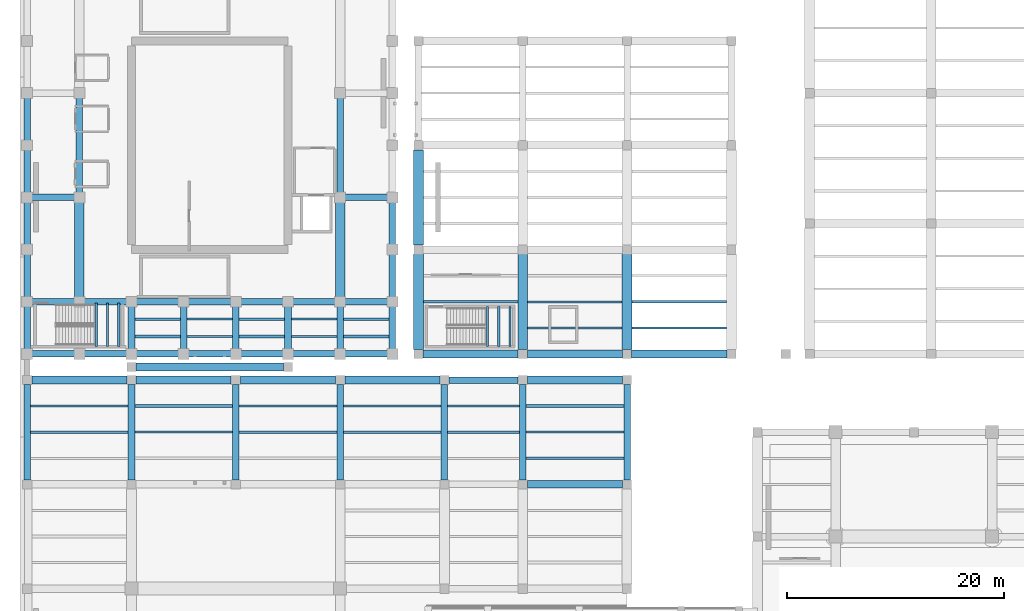
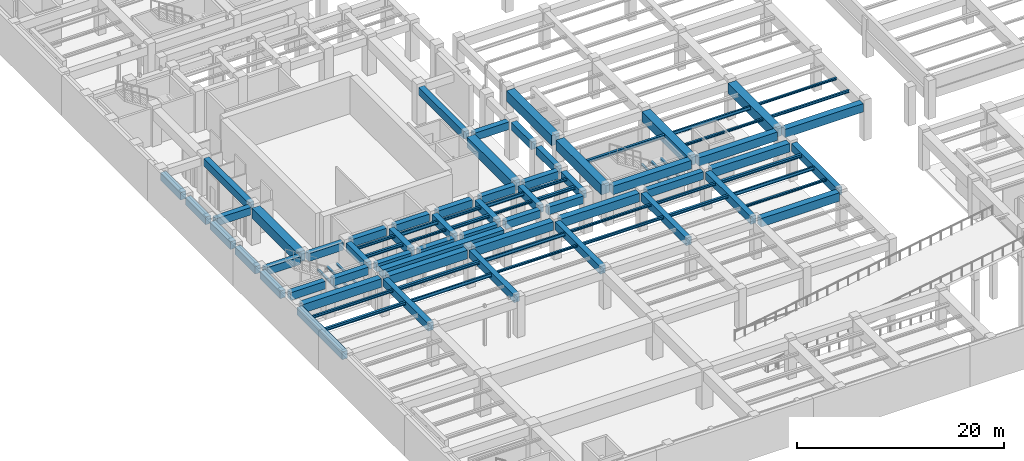
# One storey, part 15 of 45: 89 beams.
"""IFC4 building model written with IfcOpenShell, lengths in metres."""

from ifc_helpers import new_model, si_unit, direction, frame, origin, origin_2d, place, context, subcontext, project, spatial, rectangle, i_section, extrude, material, material_profile, profile_set, type_object, element, save


model = new_model("IFC4")

# Units and contexts
model_context = context("Model", 3, precision=1e-05, world=origin(), true_north=direction((0.0, 1.0)))
body_context = subcontext(model_context, "Body", "Model", "MODEL_VIEW")
ifc_project = project(units=[si_unit("LENGTHUNIT", "METRE"), si_unit("AREAUNIT", "SQUARE_METRE"), si_unit("VOLUMEUNIT", "CUBIC_METRE"), si_unit("PLANEANGLEUNIT", "RADIAN"), si_unit("MASSUNIT", "GRAM", prefix="KILO")], contexts=[model_context])

# Site, building, storey
site_placement = place(None, origin())
site = spatial("IfcSite", under=ifc_project, at=site_placement, CompositionType="ELEMENT")
building_placement = place(site_placement, origin())
building = spatial("IfcBuilding", under=site, at=building_placement, Name="Mavantir Sound Aquarium", CompositionType="ELEMENT")
storey_placement = place(building_placement, frame((0.0, 0.0, -4.800048828125)))
storey = spatial("IfcBuildingStorey", under=building, at=storey_placement, Name="B1", CompositionType="ELEMENT", Elevation=-4.800048828125)

# Beams
ifc_material_1 = material(Name="Concrete C40/50", Category="concrete")
ifc_material_profile_1 = material_profile(ifc_material_1, rectangle(XDim=0.60009765625, YDim=0.89990234375, at=origin_2d()), Name="RC 600X900")
ifc_profile_set_1 = profile_set([ifc_material_profile_1], Name="Concrete C40/50")
beam_type_1 = type_object("IfcBeamType", Name="BM-RC600X900-E", PredefinedType="BEAM", material=ifc_profile_set_1)
beam_1_placement = place(storey_placement, frame((0.449951171875, 40.800048828125, 3.946044921875), z_axis=(1.0, 0.0, 0.0), x_axis=(0.0, 1.0, 0.0)))
element("IfcBeam", 1, at=beam_1_placement, inside=storey, type_object=beam_type_1, Name="B1 primary beam RCB-09 449", PredefinedType="BEAM", context=body_context, shape_type="SweptSolid", body=[
    extrude(rectangle(XDim=0.60009765625, YDim=0.89990234375, at=origin_2d()), origin(), (0.0, 0.0, 1.0), 3.900146484375),
])
for number, where, z_axis, x_axis, name in (
    (2, (5.25, 40.800048828125, 3.946044921875), (1.0, 0.0, 0.0), (0.0, 1.0, 0.0), "B1 primary beam RCB-09 450"),
    (3, (10.050048828125, 40.800048828125, 3.946044921875), (1.0, 0.0, 0.0), (0.0, 1.0, 0.0), "B1 primary beam RCB-09 451"),
    (4, (14.85009765625, 40.800048828125, 3.946044921875), (1.0, 0.0, 0.0), (0.0, 1.0, 0.0), "B1 primary beam RCB-09 452"),
):
    element("IfcBeam", number, at=place(storey_placement, frame(where, z_axis=z_axis, x_axis=x_axis)), inside=storey, type_object=beam_type_1, Name=name, PredefinedType="BEAM", context=body_context, shape_type="SweptSolid", body=[
        extrude(rectangle(XDim=0.60009765625, YDim=0.89990234375, at=origin_2d()), origin(), (0.0, 0.0, 1.0), 3.89990234375),
    ])
for number, where, z_axis, x_axis, name in (
    (5, (19.64990234375, 40.800048828125, 3.946044921875), (1.0, 0.0, 0.0), (0.0, 1.0, 0.0), "B1 primary beam RCB-09 453"),
    (6, (24.449951171875, 40.800048828125, 3.946044921875), (1.0, 0.0, 0.0), (0.0, 1.0, 0.0), "B1 primary beam RCB-09 454"),
):
    element("IfcBeam", number, at=place(storey_placement, frame(where, z_axis=z_axis, x_axis=x_axis)), inside=storey, type_object=beam_type_1, Name=name, PredefinedType="BEAM", context=body_context, shape_type="SweptSolid", body=[
        extrude(rectangle(XDim=0.60009765625, YDim=0.89990234375, at=origin_2d()), origin(), (0.0, 0.0, 1.0), 3.900146484375),
    ])
for number, where, z_axis, x_axis, name in (
    (7, (29.25, 40.800048828125, 3.946044921875), (1.0, 0.0, 0.0), (0.0, 1.0, 0.0), "B1 primary beam RCB-09 455"),
    (8, (0.0, 41.25, 3.946044921875), (0.0, 1.0, 0.0), (-1.0, 0.0, 0.0), "B1 primary girder RCB-09 479"),
    (9, (0.0, 46.050048828125, 3.946044921875), (0.0, 1.0, 0.0), (-1.0, 0.0, 0.0), "B1 primary girder RCB-09 480"),
    (10, (0.0, 50.85009765625, 3.946044921875), (0.0, 1.0, 0.0), (-1.0, 0.0, 0.0), "B1 primary girder RCB-09 481"),
):
    element("IfcBeam", number, at=place(storey_placement, frame(where, z_axis=z_axis, x_axis=x_axis)), inside=storey, type_object=beam_type_1, Name=name, PredefinedType="BEAM", context=body_context, shape_type="SweptSolid", body=[
        extrude(rectangle(XDim=0.60009765625, YDim=0.89990234375, at=origin_2d()), origin(), (0.0, 0.0, 1.0), 3.89990234375),
    ])
for number, where, z_axis, x_axis, name in (
    (11, (0.0, 55.64990234375, 3.946044921875), (0.0, 1.0, 0.0), (-1.0, 0.0, 0.0), "B1 primary girder RCB-09 482"),
    (12, (0.0, 60.449951171875, 3.946044921875), (0.0, 1.0, 0.0), (-1.0, 0.0, 0.0), "B1 primary girder RCB-09 483"),
):
    element("IfcBeam", number, at=place(storey_placement, frame(where, z_axis=z_axis, x_axis=x_axis)), inside=storey, type_object=beam_type_1, Name=name, PredefinedType="BEAM", context=body_context, shape_type="SweptSolid", body=[
        extrude(rectangle(XDim=0.60009765625, YDim=0.89990234375, at=origin_2d()), origin(), (0.0, 0.0, 1.0), 3.900146484375),
    ])
for number, where, z_axis, x_axis, name in (
    (13, (33.60009765625, 41.25, 3.946044921875), (0.0, 1.0, 0.0), (-1.0, 0.0, 0.0), "B1 primary girder RCB-09 503"),
    (14, (33.60009765625, 46.050048828125, 3.946044921875), (0.0, 1.0, 0.0), (-1.0, 0.0, 0.0), "B1 primary girder RCB-09 504"),
    (15, (33.60009765625, 50.85009765625, 3.946044921875), (0.0, 1.0, 0.0), (-1.0, 0.0, 0.0), "B1 primary girder RCB-09 505"),
):
    element("IfcBeam", number, at=place(storey_placement, frame(where, z_axis=z_axis, x_axis=x_axis)), inside=storey, type_object=beam_type_1, Name=name, PredefinedType="BEAM", context=body_context, shape_type="SweptSolid", body=[
        extrude(rectangle(XDim=0.60009765625, YDim=0.89990234375, at=origin_2d()), origin(), (0.0, 0.0, 1.0), 3.89990234375),
    ])
beam_2_placement = place(storey_placement, frame((38.824951171875, 38.39990234375, 4.046142578125), z_axis=(1.0, 0.0, 0.0), x_axis=(0.0, 1.0, 0.0)))
element("IfcBeam", 16, at=beam_2_placement, inside=storey, type_object=beam_type_1, Name="B1 primary beam RCB-09 559", PredefinedType="BEAM", context=body_context, shape_type="SweptSolid", body=[
    extrude(rectangle(XDim=0.60009765625, YDim=0.89990234375, at=origin_2d()), origin(), (0.0, 0.0, 1.0), 6.35009765625),
])
for number, where, z_axis, x_axis, name in (
    (17, (0.0, 29.22509765625, 4.046142578125), (0.0, 1.0, 0.0), (-1.0, 0.0, 0.0), "B1 primary girder RCB-09 564"),
    (18, (55.199951171875, 29.22509765625, 4.046142578125), (0.0, 1.0, 0.0), (-1.0, 0.0, 0.0), "B1 primary girder RCB-09 582"),
):
    element("IfcBeam", number, at=place(storey_placement, frame(where, z_axis=z_axis, x_axis=x_axis)), inside=storey, type_object=beam_type_1, Name=name, PredefinedType="BEAM", context=body_context, shape_type="SweptSolid", body=[
        extrude(rectangle(XDim=0.60009765625, YDim=0.89990234375, at=origin_2d()), origin(), (0.0, 0.0, 1.0), 8.75),
    ])
ifc_material_profile_2 = material_profile(ifc_material_1, rectangle(XDim=0.60009765625, YDim=0.89990234375, at=origin_2d()), Name="RC 600X900")
ifc_profile_set_2 = profile_set([ifc_material_profile_2], Name="Concrete C40/50")
beam_type_2 = type_object("IfcBeamType", Name="BM-RC600X900-I", PredefinedType="BEAM", material=ifc_profile_set_2)
beam_3_placement = place(storey_placement, frame((0.449951171875, 45.60009765625, 3.946044921875), z_axis=(1.0, 0.0, 0.0), x_axis=(0.0, 1.0, 0.0)))
element("IfcBeam", 19, at=beam_3_placement, inside=storey, type_object=beam_type_2, Name="B1 primary beam RCB-09 456", PredefinedType="BEAM", context=body_context, shape_type="SweptSolid", body=[
    extrude(rectangle(XDim=0.60009765625, YDim=0.89990234375, at=origin_2d()), origin(), (0.0, 0.0, 1.0), 3.900146484375),
])
for number, where, z_axis, x_axis, name in (
    (20, (5.25, 45.60009765625, 3.946044921875), (1.0, 0.0, 0.0), (0.0, 1.0, 0.0), "B1 primary beam RCB-09 457"),
    (21, (10.050048828125, 45.60009765625, 3.946044921875), (1.0, 0.0, 0.0), (0.0, 1.0, 0.0), "B1 primary beam RCB-09 458"),
    (22, (14.85009765625, 45.60009765625, 3.946044921875), (1.0, 0.0, 0.0), (0.0, 1.0, 0.0), "B1 primary beam RCB-09 459"),
):
    element("IfcBeam", number, at=place(storey_placement, frame(where, z_axis=z_axis, x_axis=x_axis)), inside=storey, type_object=beam_type_2, Name=name, PredefinedType="BEAM", context=body_context, shape_type="SweptSolid", body=[
        extrude(rectangle(XDim=0.60009765625, YDim=0.89990234375, at=origin_2d()), origin(), (0.0, 0.0, 1.0), 3.89990234375),
    ])
for number, where, z_axis, x_axis, name in (
    (23, (19.64990234375, 45.60009765625, 3.946044921875), (1.0, 0.0, 0.0), (0.0, 1.0, 0.0), "B1 primary beam RCB-09 460"),
    (24, (24.449951171875, 45.60009765625, 3.946044921875), (1.0, 0.0, 0.0), (0.0, 1.0, 0.0), "B1 primary beam RCB-09 461"),
):
    element("IfcBeam", number, at=place(storey_placement, frame(where, z_axis=z_axis, x_axis=x_axis)), inside=storey, type_object=beam_type_2, Name=name, PredefinedType="BEAM", context=body_context, shape_type="SweptSolid", body=[
        extrude(rectangle(XDim=0.60009765625, YDim=0.89990234375, at=origin_2d()), origin(), (0.0, 0.0, 1.0), 3.900146484375),
    ])
beam_4_placement = place(storey_placement, frame((29.25, 45.60009765625, 3.946044921875), z_axis=(1.0, 0.0, 0.0), x_axis=(0.0, 1.0, 0.0)))
element("IfcBeam", 25, at=beam_4_placement, inside=storey, type_object=beam_type_2, Name="B1 primary beam RCB-09 462", PredefinedType="BEAM", context=body_context, shape_type="SweptSolid", body=[
    extrude(rectangle(XDim=0.60009765625, YDim=0.89990234375, at=origin_2d()), origin(), (0.0, 0.0, 1.0), 3.89990234375),
])
beam_5_placement = place(storey_placement, frame((0.449951171875, 55.199951171875, 3.946044921875), z_axis=(1.0, 0.0, 0.0), x_axis=(0.0, 1.0, 0.0)))
element("IfcBeam", 26, at=beam_5_placement, inside=storey, type_object=beam_type_2, Name="B1 primary beam RCB-09 463", PredefinedType="BEAM", context=body_context, shape_type="SweptSolid", body=[
    extrude(rectangle(XDim=0.60009765625, YDim=0.89990234375, at=origin_2d()), origin(), (0.0, 0.0, 1.0), 3.900146484375),
])
beam_6_placement = place(storey_placement, frame((29.25, 55.199951171875, 3.946044921875), z_axis=(1.0, 0.0, 0.0), x_axis=(0.0, 1.0, 0.0)))
element("IfcBeam", 27, at=beam_6_placement, inside=storey, type_object=beam_type_2, Name="B1 primary beam RCB-09 464", PredefinedType="BEAM", context=body_context, shape_type="SweptSolid", body=[
    extrude(rectangle(XDim=0.60009765625, YDim=0.89990234375, at=origin_2d()), origin(), (0.0, 0.0, 1.0), 3.89990234375),
])
beam_7_placement = place(storey_placement, frame((4.800048828125, 55.64990234375, 3.946044921875), z_axis=(0.0, 1.0, 0.0), x_axis=(-1.0, 0.0, 0.0)))
element("IfcBeam", 28, at=beam_7_placement, inside=storey, type_object=beam_type_2, Name="B1 primary girder RCB-09 488", PredefinedType="BEAM", context=body_context, shape_type="SweptSolid", body=[
    extrude(rectangle(XDim=0.60009765625, YDim=0.89990234375, at=origin_2d()), origin(), (0.0, 0.0, 1.0), 8.7001953125),
])
for number, where, z_axis, x_axis, name in (
    (29, (9.60009765625, 41.25, 3.946044921875), (0.0, 1.0, 0.0), (-1.0, 0.0, 0.0), "B1 primary girder RCB-09 490"),
    (30, (14.39990234375, 41.25, 3.946044921875), (0.0, 1.0, 0.0), (-1.0, 0.0, 0.0), "B1 primary girder RCB-09 492"),
    (31, (19.199951171875, 41.25, 3.946044921875), (0.0, 1.0, 0.0), (-1.0, 0.0, 0.0), "B1 primary girder RCB-09 494"),
    (32, (24.0, 41.25, 3.946044921875), (0.0, 1.0, 0.0), (-1.0, 0.0, 0.0), "B1 primary girder RCB-09 496"),
    (33, (28.800048828125, 41.25, 3.946044921875), (0.0, 1.0, 0.0), (-1.0, 0.0, 0.0), "B1 primary girder RCB-09 498"),
):
    element("IfcBeam", number, at=place(storey_placement, frame(where, z_axis=z_axis, x_axis=x_axis)), inside=storey, type_object=beam_type_2, Name=name, PredefinedType="BEAM", context=body_context, shape_type="SweptSolid", body=[
        extrude(rectangle(XDim=0.60009765625, YDim=0.89990234375, at=origin_2d()), origin(), (0.0, 0.0, 1.0), 3.89990234375),
    ])
beam_8_placement = place(storey_placement, frame((28.800048828125, 55.64990234375, 3.946044921875), z_axis=(0.0, 1.0, 0.0), x_axis=(-1.0, 0.0, 0.0)))
element("IfcBeam", 34, at=beam_8_placement, inside=storey, type_object=beam_type_2, Name="B1 primary girder RCB-09 500", PredefinedType="BEAM", context=body_context, shape_type="SweptSolid", body=[
    extrude(rectangle(XDim=0.60009765625, YDim=0.89990234375, at=origin_2d()), origin(), (0.0, 0.0, 1.0), 8.7001953125),
])
for number, where, z_axis, x_axis, name in (
    (35, (9.60009765625, 29.22509765625, 4.046142578125), (0.0, 1.0, 0.0), (-1.0, 0.0, 0.0), "B1 primary girder RCB-09 568"),
    (36, (19.199951171875, 29.22509765625, 4.046142578125), (0.0, 1.0, 0.0), (-1.0, 0.0, 0.0), "B1 primary girder RCB-09 569"),
    (37, (28.800048828125, 29.22509765625, 4.046142578125), (0.0, 1.0, 0.0), (-1.0, 0.0, 0.0), "B1 primary girder RCB-09 573"),
    (38, (38.39990234375, 29.22509765625, 4.046142578125), (0.0, 1.0, 0.0), (-1.0, 0.0, 0.0), "B1 primary girder RCB-09 576"),
    (39, (45.60009765625, 29.22509765625, 4.046142578125), (0.0, 1.0, 0.0), (-1.0, 0.0, 0.0), "B1 primary girder RCB-09 579"),
):
    element("IfcBeam", number, at=place(storey_placement, frame(where, z_axis=z_axis, x_axis=x_axis)), inside=storey, type_object=beam_type_2, Name=name, PredefinedType="BEAM", context=body_context, shape_type="SweptSolid", body=[
        extrude(rectangle(XDim=0.60009765625, YDim=0.89990234375, at=origin_2d()), origin(), (0.0, 0.0, 1.0), 8.75),
    ])
ifc_material_profile_3 = material_profile(ifc_material_1, rectangle(XDim=0.699951171875, YDim=1.0, at=origin_2d()), Name="RC 700X1000")
ifc_profile_set_3 = profile_set([ifc_material_profile_3], Name="Concrete C40/50")
beam_type_3 = type_object("IfcBeamType", Name="BM-RC700X1000-E", PredefinedType="BEAM", material=ifc_profile_set_3)
for number, where, z_axis, x_axis, name in (
    (40, (36.425048828125, 40.800048828125, 3.89599609375), (1.0, 0.0, 0.0), (0.0, 1.0, 0.0), "B1 primary beam RCB-10 511"),
    (41, (46.02490234375, 40.800048828125, 3.89599609375), (1.0, 0.0, 0.0), (0.0, 1.0, 0.0), "B1 primary beam RCB-10 512"),
    (42, (55.625, 40.800048828125, 3.89599609375), (1.0, 0.0, 0.0), (0.0, 1.0, 0.0), "B1 primary beam RCB-10 513"),
    (43, (0.425048828125, 38.39990234375, 3.99609375), (1.0, 0.0, 0.0), (0.0, 1.0, 0.0), "B1 primary beam RCB-10 555"),
    (44, (10.02490234375, 38.39990234375, 3.99609375), (1.0, 0.0, 0.0), (0.0, 1.0, 0.0), "B1 primary beam RCB-10 556"),
    (45, (19.625, 38.39990234375, 3.99609375), (1.0, 0.0, 0.0), (0.0, 1.0, 0.0), "B1 primary beam RCB-10 557"),
    (46, (29.22509765625, 38.39990234375, 3.99609375), (1.0, 0.0, 0.0), (0.0, 1.0, 0.0), "B1 primary beam RCB-10 558"),
    (47, (46.02490234375, 38.39990234375, 3.99609375), (1.0, 0.0, 0.0), (0.0, 1.0, 0.0), "B1 primary beam RCB-10 560"),
):
    element("IfcBeam", number, at=place(storey_placement, frame(where, z_axis=z_axis, x_axis=x_axis)), inside=storey, type_object=beam_type_3, Name=name, PredefinedType="BEAM", context=body_context, shape_type="SweptSolid", body=[
        extrude(rectangle(XDim=0.699951171875, YDim=1.0, at=origin_2d()), origin(), (0.0, 0.0, 1.0), 8.75),
    ])
ifc_material_profile_4 = material_profile(ifc_material_1, rectangle(XDim=0.699951171875, YDim=1.0, at=origin_2d()), Name="RC 700X1000")
ifc_profile_set_4 = profile_set([ifc_material_profile_4], Name="Concrete C40/50")
beam_type_4 = type_object("IfcBeamType", Name="BM-RC700X1000-I", PredefinedType="BEAM", material=ifc_profile_set_4)
beam_9_placement = place(storey_placement, frame((10.02490234375, 39.60009765625, 3.99609375), z_axis=(1.0, 0.0, 0.0), x_axis=(0.0, 1.0, 0.0)))
element("IfcBeam", 48, at=beam_9_placement, inside=storey, type_object=beam_type_4, Name="B1 primary beam RCB-10 421", PredefinedType="BEAM", context=body_context, shape_type="SweptSolid", body=[
    extrude(rectangle(XDim=0.699951171875, YDim=1.0, at=origin_2d()), origin(), (0.0, 0.0, 1.0), 13.550048828125),
])
beam_10_placement = place(storey_placement, frame((46.02490234375, 28.800048828125, 3.99609375), z_axis=(1.0, 0.0, 0.0), x_axis=(0.0, 1.0, 0.0)))
element("IfcBeam", 49, at=beam_10_placement, inside=storey, type_object=beam_type_4, Name="B1 primary beam RCB-10 554", PredefinedType="BEAM", context=body_context, shape_type="SweptSolid", body=[
    extrude(rectangle(XDim=0.699951171875, YDim=1.0, at=origin_2d()), origin(), (0.0, 0.0, 1.0), 8.75),
])
ifc_material_profile_5 = material_profile(ifc_material_1, rectangle(XDim=0.89990234375, YDim=1.199951171875, at=origin_2d()), Name="RC 900X1200")
ifc_profile_set_5 = profile_set([ifc_material_profile_5], Name="Concrete C40/50")
beam_type_5 = type_object("IfcBeamType", Name="BM-RC900X1200-E", PredefinedType="BEAM", material=ifc_profile_set_5)
for number, where, z_axis, x_axis, name in (
    (50, (36.0, 41.22509765625, 3.796142578125), (0.0, 1.0, 0.0), (-1.0, 0.0, 0.0), "B1 primary girder RCB-12 523"),
    (51, (36.0, 50.824951171875, 3.796142578125), (0.0, 1.0, 0.0), (-1.0, 0.0, 0.0), "B1 primary girder RCB-12 524"),
):
    element("IfcBeam", number, at=place(storey_placement, frame(where, z_axis=z_axis, x_axis=x_axis)), inside=storey, type_object=beam_type_5, Name=name, PredefinedType="BEAM", context=body_context, shape_type="SweptSolid", body=[
        extrude(rectangle(XDim=0.89990234375, YDim=1.199951171875, at=origin_2d()), origin(), (0.0, 0.0, 1.0), 8.75),
    ])
ifc_material_profile_6 = material_profile(ifc_material_1, rectangle(XDim=0.89990234375, YDim=1.199951171875, at=origin_2d()), Name="RC 900X1200")
ifc_profile_set_6 = profile_set([ifc_material_profile_6], Name="Concrete C40/50")
beam_type_6 = type_object("IfcBeamType", Name="BM-RC900X1200-I", PredefinedType="BEAM", material=ifc_profile_set_6)
for number, where, z_axis, x_axis, name in (
    (52, (4.800048828125, 46.050048828125, 3.796142578125), (0.0, 1.0, 0.0), (-1.0, 0.0, 0.0), "B1 primary girder RCB-12 487"),
    (53, (28.800048828125, 46.050048828125, 3.796142578125), (0.0, 1.0, 0.0), (-1.0, 0.0, 0.0), "B1 primary girder RCB-12 499"),
):
    element("IfcBeam", number, at=place(storey_placement, frame(where, z_axis=z_axis, x_axis=x_axis)), inside=storey, type_object=beam_type_6, Name=name, PredefinedType="BEAM", context=body_context, shape_type="SweptSolid", body=[
        extrude(rectangle(XDim=0.89990234375, YDim=1.199951171875, at=origin_2d()), origin(), (0.0, 0.0, 1.0), 8.699951171875),
    ])
for number, where, z_axis, x_axis, name in (
    (54, (45.60009765625, 41.22509765625, 3.796142578125), (0.0, 1.0, 0.0), (-1.0, 0.0, 0.0), "B1 primary girder RCB-12 526"),
    (55, (55.199951171875, 41.22509765625, 3.796142578125), (0.0, 1.0, 0.0), (-1.0, 0.0, 0.0), "B1 primary girder RCB-12 529"),
):
    element("IfcBeam", number, at=place(storey_placement, frame(where, z_axis=z_axis, x_axis=x_axis)), inside=storey, type_object=beam_type_6, Name=name, PredefinedType="BEAM", context=body_context, shape_type="SweptSolid", body=[
        extrude(rectangle(XDim=0.89990234375, YDim=1.199951171875, at=origin_2d()), origin(), (0.0, 0.0, 1.0), 8.75),
    ])
ifc_material_2 = material(Name="Structural Steel ASTM A992 Gr50", Category="steel")
ifc_material_profile_7 = material_profile(ifc_material_2, i_section(OverallWidth=0.202880859375, OverallDepth=0.202880859375, WebThickness=0.007080078125, FlangeThickness=0.010986328125, FilletRadius=0.010009765625, at=origin_2d()), Name="W200X46")
ifc_profile_set_7 = profile_set([ifc_material_profile_7], Name="Structural Steel ASTM A992 Gr50")
beam_type_7 = type_object("IfcBeamType", Name="BM-W200X46-I", PredefinedType="LINTEL", material=ifc_profile_set_7)
for number, where, z_axis, x_axis, name in (
    (56, (6.35009765625, 41.47509765625, 2.095458984375), (0.0, 1.0, 0.0), (-1.0, 0.0, 0.0), "Stair ST1 landing support beam 4"),
    (57, (7.389892578125, 41.47509765625, 2.095458984375), (0.0, 1.0, 0.0), (-1.0, 0.0, 0.0), "Stair ST1 landing support beam 5"),
    (58, (8.429931640625, 41.47509765625, 2.095458984375), (0.0, 1.0, 0.0), (-1.0, 0.0, 0.0), "Stair ST1 landing support beam 6"),
):
    element("IfcBeam", number, at=place(storey_placement, frame(where, z_axis=z_axis, x_axis=x_axis)), inside=storey, type_object=beam_type_7, Name=name, PredefinedType="LINTEL", context=body_context, shape_type="SweptSolid", body=[
        extrude(i_section(OverallWidth=0.202880859375, OverallDepth=0.202880859375, WebThickness=0.007080078125, FlangeThickness=0.010986328125, FilletRadius=0.010009765625, at=origin_2d()), origin(), (0.0, 0.0, 1.0), 4.0),
    ])
for number, where, z_axis, x_axis, name in (
    (59, (42.35009765625, 41.47509765625, 2.095458984375), (0.0, 1.0, 0.0), (-1.0, 0.0, 0.0), "Stair ST8 landing support beam 142"),
    (60, (43.389892578125, 41.47509765625, 2.095458984375), (0.0, 1.0, 0.0), (-1.0, 0.0, 0.0), "Stair ST8 landing support beam 143"),
    (61, (44.429931640625, 41.47509765625, 2.095458984375), (0.0, 1.0, 0.0), (-1.0, 0.0, 0.0), "Stair ST8 landing support beam 144"),
):
    element("IfcBeam", number, at=place(storey_placement, frame(where, z_axis=z_axis, x_axis=x_axis)), inside=storey, type_object=beam_type_7, Name=name, PredefinedType="LINTEL", context=body_context, shape_type="SweptSolid", body=[
        extrude(i_section(OverallWidth=0.202880859375, OverallDepth=0.202880859375, WebThickness=0.007080078125, FlangeThickness=0.010986328125, FilletRadius=0.010009765625, at=origin_2d()), origin(), (0.0, 0.0, 1.0), 3.699951171875),
    ])
ifc_material_profile_8 = material_profile(ifc_material_2, i_section(OverallWidth=0.202880859375, OverallDepth=0.251953125, WebThickness=0.008056640625, FlangeThickness=0.013427734375, FilletRadius=0.011962890625, at=origin_2d()), Name="W250X58")
ifc_profile_set_8 = profile_set([ifc_material_profile_8], Name="Structural Steel ASTM A992 Gr50")
beam_type_8 = type_object("IfcBeamType", Name="BM-W250X58-I", PredefinedType="JOIST", material=ifc_profile_set_8)
for number, where, z_axis, x_axis, name in (
    (62, (14.699951171875, 42.39990234375, 4.27001953125), (1.0, 0.0, 0.0), (0.0, 1.0, 0.0), "B1 secondary floor joist SJ-25 180"),
    (63, (24.300048828125, 42.39990234375, 4.27001953125), (1.0, 0.0, 0.0), (0.0, 1.0, 0.0), "B1 secondary floor joist SJ-25 184"),
):
    element("IfcBeam", number, at=place(storey_placement, frame(where, z_axis=z_axis, x_axis=x_axis)), inside=storey, type_object=beam_type_8, Name=name, PredefinedType="JOIST", context=body_context, shape_type="SweptSolid", body=[
        extrude(i_section(OverallWidth=0.202880859375, OverallDepth=0.251953125, WebThickness=0.008056640625, FlangeThickness=0.013427734375, FilletRadius=0.011962890625, at=origin_2d()), origin(), (0.0, 0.0, 1.0), 4.199951171875),
    ])
beam_11_placement = place(storey_placement, frame((46.050048828125, 43.199951171875, 4.27001953125), z_axis=(1.0, 0.0, 0.0), x_axis=(0.0, 1.0, 0.0)))
element("IfcBeam", 64, at=beam_11_placement, inside=storey, type_object=beam_type_8, Name="B1 secondary floor joist SJ-25 200", PredefinedType="JOIST", context=body_context, shape_type="SweptSolid", body=[
    extrude(i_section(OverallWidth=0.202880859375, OverallDepth=0.251953125, WebThickness=0.008056640625, FlangeThickness=0.013427734375, FilletRadius=0.011962890625, at=origin_2d()), origin(), (0.0, 0.0, 1.0), 8.699951171875),
])
beam_12_placement = place(storey_placement, frame((55.64990234375, 45.60009765625, 4.27001953125), z_axis=(1.0, 0.0, 0.0), x_axis=(0.0, 1.0, 0.0)))
element("IfcBeam", 65, at=beam_12_placement, inside=storey, type_object=beam_type_8, Name="B1 secondary floor joist SJ-25 204", PredefinedType="JOIST", context=body_context, shape_type="SweptSolid", body=[
    extrude(i_section(OverallWidth=0.202880859375, OverallDepth=0.251953125, WebThickness=0.008056640625, FlangeThickness=0.013427734375, FilletRadius=0.011962890625, at=origin_2d()), origin(), (0.0, 0.0, 1.0), 8.7001953125),
])
for number, where, z_axis, x_axis, name in (
    (66, (19.5, 33.60009765625, 4.3701171875), (1.0, 0.0, 0.0), (0.0, 1.0, 0.0), "B1 secondary floor joist SJ-25 256"),
    (67, (29.10009765625, 36.0, 4.3701171875), (1.0, 0.0, 0.0), (0.0, 1.0, 0.0), "B1 secondary floor joist SJ-25 260"),
    (68, (45.89990234375, 31.199951171875, 4.3701171875), (1.0, 0.0, 0.0), (0.0, 1.0, 0.0), "B1 secondary floor joist SJ-25 264"),
):
    element("IfcBeam", number, at=place(storey_placement, frame(where, z_axis=z_axis, x_axis=x_axis)), inside=storey, type_object=beam_type_8, Name=name, PredefinedType="JOIST", context=body_context, shape_type="SweptSolid", body=[
        extrude(i_section(OverallWidth=0.202880859375, OverallDepth=0.251953125, WebThickness=0.008056640625, FlangeThickness=0.013427734375, FilletRadius=0.011962890625, at=origin_2d()), origin(), (0.0, 0.0, 1.0), 9.0),
    ])
ifc_material_profile_9 = material_profile(ifc_material_2, i_section(OverallWidth=0.205078125, OverallDepth=0.31005859375, WebThickness=0.009521484375, FlangeThickness=0.016357421875, FilletRadius=0.012939453125, at=origin_2d()), Name="W310X74")
ifc_profile_set_9 = profile_set([ifc_material_profile_9], Name="Structural Steel ASTM A992 Gr50")
beam_type_9 = type_object("IfcBeamType", Name="BM-W310X74-I", PredefinedType="JOIST", material=ifc_profile_set_9)
beam_13_placement = place(storey_placement, frame((9.89990234375, 44.0, 4.240966796875), z_axis=(1.0, 0.0, 0.0), x_axis=(0.0, 1.0, 0.0)))
element("IfcBeam", 69, at=beam_13_placement, inside=storey, type_object=beam_type_9, Name="B1 secondary floor joist SJ-31 179", PredefinedType="JOIST", context=body_context, shape_type="SweptSolid", body=[
    extrude(i_section(OverallWidth=0.205078125, OverallDepth=0.31005859375, WebThickness=0.009521484375, FlangeThickness=0.016357421875, FilletRadius=0.012939453125, at=origin_2d()), origin(), (0.0, 0.0, 1.0), 4.2001953125),
])
for number, where, z_axis, x_axis, name in (
    (70, (19.5, 44.0, 4.240966796875), (1.0, 0.0, 0.0), (0.0, 1.0, 0.0), "B1 secondary floor joist SJ-31 183"),
    (71, (29.10009765625, 44.0, 4.240966796875), (1.0, 0.0, 0.0), (0.0, 1.0, 0.0), "B1 secondary floor joist SJ-31 187"),
):
    element("IfcBeam", number, at=place(storey_placement, frame(where, z_axis=z_axis, x_axis=x_axis)), inside=storey, type_object=beam_type_9, Name=name, PredefinedType="JOIST", context=body_context, shape_type="SweptSolid", body=[
        extrude(i_section(OverallWidth=0.205078125, OverallDepth=0.31005859375, WebThickness=0.009521484375, FlangeThickness=0.016357421875, FilletRadius=0.012939453125, at=origin_2d()), origin(), (0.0, 0.0, 1.0), 4.199951171875),
    ])
beam_14_placement = place(storey_placement, frame((55.64990234375, 43.199951171875, 4.240966796875), z_axis=(1.0, 0.0, 0.0), x_axis=(0.0, 1.0, 0.0)))
element("IfcBeam", 72, at=beam_14_placement, inside=storey, type_object=beam_type_9, Name="B1 secondary floor joist SJ-31 203", PredefinedType="JOIST", context=body_context, shape_type="SweptSolid", body=[
    extrude(i_section(OverallWidth=0.205078125, OverallDepth=0.31005859375, WebThickness=0.009521484375, FlangeThickness=0.016357421875, FilletRadius=0.012939453125, at=origin_2d()), origin(), (0.0, 0.0, 1.0), 8.7001953125),
])
for number, where, z_axis, x_axis, name in (
    (73, (0.300048828125, 36.0, 4.341064453125), (1.0, 0.0, 0.0), (0.0, 1.0, 0.0), "B1 secondary floor joist SJ-31 251"),
    (74, (29.10009765625, 33.60009765625, 4.341064453125), (1.0, 0.0, 0.0), (0.0, 1.0, 0.0), "B1 secondary floor joist SJ-31 259"),
):
    element("IfcBeam", number, at=place(storey_placement, frame(where, z_axis=z_axis, x_axis=x_axis)), inside=storey, type_object=beam_type_9, Name=name, PredefinedType="JOIST", context=body_context, shape_type="SweptSolid", body=[
        extrude(i_section(OverallWidth=0.205078125, OverallDepth=0.31005859375, WebThickness=0.009521484375, FlangeThickness=0.016357421875, FilletRadius=0.012939453125, at=origin_2d()), origin(), (0.0, 0.0, 1.0), 9.0),
    ])
beam_15_placement = place(storey_placement, frame((38.699951171875, 36.0, 4.341064453125), z_axis=(1.0, 0.0, 0.0), x_axis=(0.0, 1.0, 0.0)))
element("IfcBeam", 75, at=beam_15_placement, inside=storey, type_object=beam_type_9, Name="B1 secondary floor joist SJ-31 263", PredefinedType="JOIST", context=body_context, shape_type="SweptSolid", body=[
    extrude(i_section(OverallWidth=0.205078125, OverallDepth=0.31005859375, WebThickness=0.009521484375, FlangeThickness=0.016357421875, FilletRadius=0.012939453125, at=origin_2d()), origin(), (0.0, 0.0, 1.0), 6.60009765625),
])
ifc_material_profile_10 = material_profile(ifc_material_2, i_section(OverallWidth=0.25390625, OverallDepth=0.35302734375, WebThickness=0.009521484375, FlangeThickness=0.016357421875, FilletRadius=0.014892578125, at=origin_2d()), Name="W360X91")
ifc_profile_set_10 = profile_set([ifc_material_profile_10], Name="Structural Steel ASTM A992 Gr50")
beam_type_10 = type_object("IfcBeamType", Name="BM-W360X91-I", PredefinedType="JOIST", material=ifc_profile_set_10)
beam_16_placement = place(storey_placement, frame((9.89990234375, 42.39990234375, 4.219482421875), z_axis=(1.0, 0.0, 0.0), x_axis=(0.0, 1.0, 0.0)))
element("IfcBeam", 76, at=beam_16_placement, inside=storey, type_object=beam_type_10, Name="B1 secondary floor joist SJ-36 178", PredefinedType="JOIST", context=body_context, shape_type="SweptSolid", body=[
    extrude(i_section(OverallWidth=0.25390625, OverallDepth=0.35302734375, WebThickness=0.009521484375, FlangeThickness=0.016357421875, FilletRadius=0.014892578125, at=origin_2d()), origin(), (0.0, 0.0, 1.0), 4.2001953125),
])
for number, where, z_axis, x_axis, name in (
    (77, (19.5, 42.39990234375, 4.219482421875), (1.0, 0.0, 0.0), (0.0, 1.0, 0.0), "B1 secondary floor joist SJ-36 182"),
    (78, (29.10009765625, 42.39990234375, 4.219482421875), (1.0, 0.0, 0.0), (0.0, 1.0, 0.0), "B1 secondary floor joist SJ-36 186"),
):
    element("IfcBeam", number, at=place(storey_placement, frame(where, z_axis=z_axis, x_axis=x_axis)), inside=storey, type_object=beam_type_10, Name=name, PredefinedType="JOIST", context=body_context, shape_type="SweptSolid", body=[
        extrude(i_section(OverallWidth=0.25390625, OverallDepth=0.35302734375, WebThickness=0.009521484375, FlangeThickness=0.016357421875, FilletRadius=0.014892578125, at=origin_2d()), origin(), (0.0, 0.0, 1.0), 4.199951171875),
    ])
beam_17_placement = place(storey_placement, frame((36.449951171875, 45.60009765625, 4.219482421875), z_axis=(1.0, 0.0, 0.0), x_axis=(0.0, 1.0, 0.0)))
element("IfcBeam", 79, at=beam_17_placement, inside=storey, type_object=beam_type_10, Name="B1 secondary floor joist SJ-36 198", PredefinedType="JOIST", context=body_context, shape_type="SweptSolid", body=[
    extrude(i_section(OverallWidth=0.25390625, OverallDepth=0.35302734375, WebThickness=0.009521484375, FlangeThickness=0.016357421875, FilletRadius=0.014892578125, at=origin_2d()), origin(), (0.0, 0.0, 1.0), 8.699951171875),
])
for number, where, z_axis, x_axis, name in (
    (80, (0.300048828125, 33.60009765625, 4.319580078125), (1.0, 0.0, 0.0), (0.0, 1.0, 0.0), "B1 secondary floor joist SJ-36 250"),
    (81, (9.89990234375, 36.0, 4.319580078125), (1.0, 0.0, 0.0), (0.0, 1.0, 0.0), "B1 secondary floor joist SJ-36 254"),
):
    element("IfcBeam", number, at=place(storey_placement, frame(where, z_axis=z_axis, x_axis=x_axis)), inside=storey, type_object=beam_type_10, Name=name, PredefinedType="JOIST", context=body_context, shape_type="SweptSolid", body=[
        extrude(i_section(OverallWidth=0.25390625, OverallDepth=0.35302734375, WebThickness=0.009521484375, FlangeThickness=0.016357421875, FilletRadius=0.014892578125, at=origin_2d()), origin(), (0.0, 0.0, 1.0), 9.0),
    ])
beam_18_placement = place(storey_placement, frame((38.699951171875, 33.60009765625, 4.319580078125), z_axis=(1.0, 0.0, 0.0), x_axis=(0.0, 1.0, 0.0)))
element("IfcBeam", 82, at=beam_18_placement, inside=storey, type_object=beam_type_10, Name="B1 secondary floor joist SJ-36 262", PredefinedType="JOIST", context=body_context, shape_type="SweptSolid", body=[
    extrude(i_section(OverallWidth=0.25390625, OverallDepth=0.35302734375, WebThickness=0.009521484375, FlangeThickness=0.016357421875, FilletRadius=0.014892578125, at=origin_2d()), origin(), (0.0, 0.0, 1.0), 6.60009765625),
])
beam_19_placement = place(storey_placement, frame((45.89990234375, 36.0, 4.319580078125), z_axis=(1.0, 0.0, 0.0), x_axis=(0.0, 1.0, 0.0)))
element("IfcBeam", 83, at=beam_19_placement, inside=storey, type_object=beam_type_10, Name="B1 secondary floor joist SJ-36 266", PredefinedType="JOIST", context=body_context, shape_type="SweptSolid", body=[
    extrude(i_section(OverallWidth=0.25390625, OverallDepth=0.35302734375, WebThickness=0.009521484375, FlangeThickness=0.016357421875, FilletRadius=0.014892578125, at=origin_2d()), origin(), (0.0, 0.0, 1.0), 9.0),
])
ifc_material_profile_11 = material_profile(ifc_material_2, i_section(OverallWidth=0.180908203125, OverallDepth=0.4169921875, WebThickness=0.010986328125, FlangeThickness=0.018310546875, FilletRadius=0.014892578125, at=origin_2d()), Name="W410X85")
ifc_profile_set_11 = profile_set([ifc_material_profile_11], Name="Structural Steel ASTM A992 Gr50")
beam_type_11 = type_object("IfcBeamType", Name="BM-W410X85-I", PredefinedType="JOIST", material=ifc_profile_set_11)
for number, where, z_axis, x_axis, name in (
    (84, (14.699951171875, 44.0, 4.1875), (1.0, 0.0, 0.0), (0.0, 1.0, 0.0), "B1 secondary floor joist SJ-41 181"),
    (85, (24.300048828125, 44.0, 4.1875), (1.0, 0.0, 0.0), (0.0, 1.0, 0.0), "B1 secondary floor joist SJ-41 185"),
):
    element("IfcBeam", number, at=place(storey_placement, frame(where, z_axis=z_axis, x_axis=x_axis)), inside=storey, type_object=beam_type_11, Name=name, PredefinedType="JOIST", context=body_context, shape_type="SweptSolid", body=[
        extrude(i_section(OverallWidth=0.180908203125, OverallDepth=0.4169921875, WebThickness=0.010986328125, FlangeThickness=0.018310546875, FilletRadius=0.014892578125, at=origin_2d()), origin(), (0.0, 0.0, 1.0), 4.199951171875),
    ])
beam_20_placement = place(storey_placement, frame((46.050048828125, 45.60009765625, 4.1875), z_axis=(1.0, 0.0, 0.0), x_axis=(0.0, 1.0, 0.0)))
element("IfcBeam", 86, at=beam_20_placement, inside=storey, type_object=beam_type_11, Name="B1 secondary floor joist SJ-41 201", PredefinedType="JOIST", context=body_context, shape_type="SweptSolid", body=[
    extrude(i_section(OverallWidth=0.180908203125, OverallDepth=0.4169921875, WebThickness=0.010986328125, FlangeThickness=0.018310546875, FilletRadius=0.014892578125, at=origin_2d()), origin(), (0.0, 0.0, 1.0), 8.699951171875),
])
for number, where, z_axis, x_axis, name in (
    (87, (9.89990234375, 33.60009765625, 4.28759765625), (1.0, 0.0, 0.0), (0.0, 1.0, 0.0), "B1 secondary floor joist SJ-41 253"),
    (88, (19.5, 36.0, 4.28759765625), (1.0, 0.0, 0.0), (0.0, 1.0, 0.0), "B1 secondary floor joist SJ-41 257"),
    (89, (45.89990234375, 33.60009765625, 4.28759765625), (1.0, 0.0, 0.0), (0.0, 1.0, 0.0), "B1 secondary floor joist SJ-41 265"),
):
    element("IfcBeam", number, at=place(storey_placement, frame(where, z_axis=z_axis, x_axis=x_axis)), inside=storey, type_object=beam_type_11, Name=name, PredefinedType="JOIST", context=body_context, shape_type="SweptSolid", body=[
        extrude(i_section(OverallWidth=0.180908203125, OverallDepth=0.4169921875, WebThickness=0.010986328125, FlangeThickness=0.018310546875, FilletRadius=0.014892578125, at=origin_2d()), origin(), (0.0, 0.0, 1.0), 9.0),
    ])

save(model, "model.ifc")
